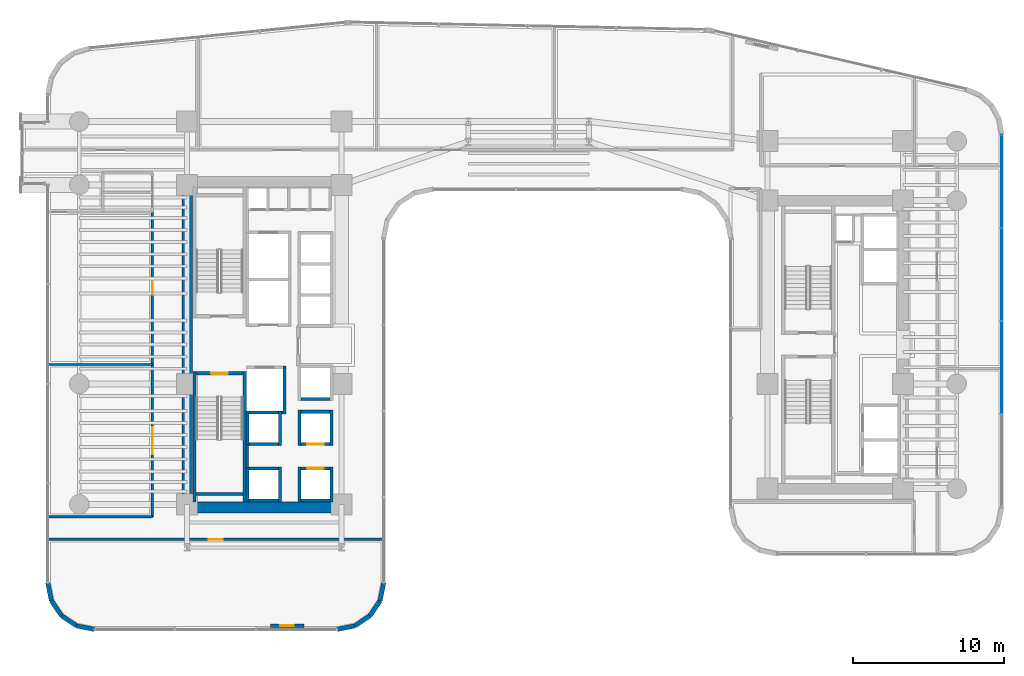
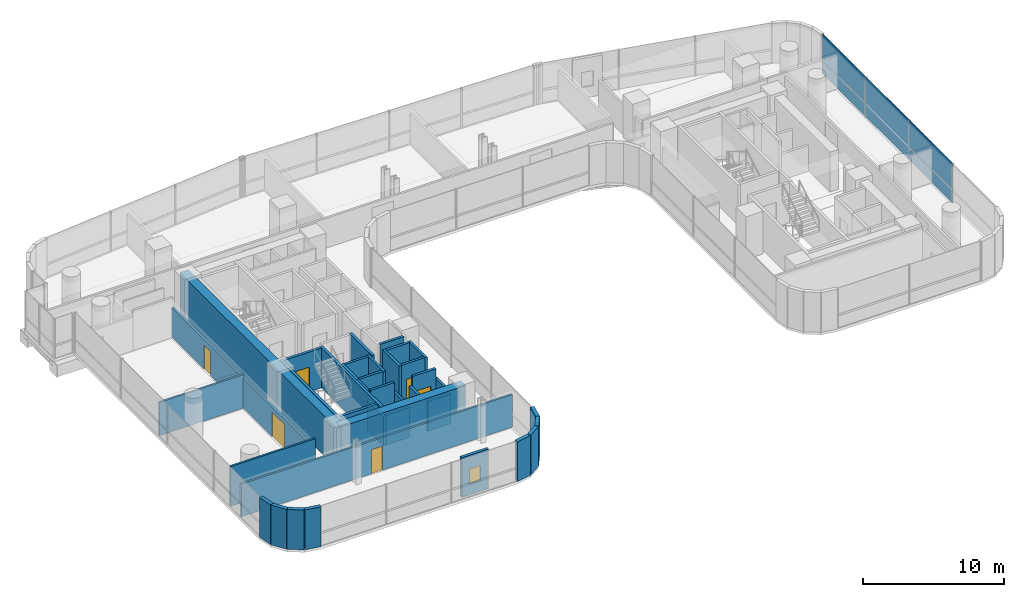
# One storey, part 31 of 40: 38 walls, 6 doors, 5 plates, 1 window, 7 openings, 1 element without a shape of its own.
"""IFC4 building model written with IfcOpenShell, lengths in metres."""

from ifc_helpers import new_model, si_unit, direction, frame, frame_2d, origin, origin_2d, place, context, subcontext, project, spatial, rectangle, extrude, source, transform, mapped, material, layer, layer_set, type_object, element, fill, aggregate, save


model = new_model("IFC4")

# Units and contexts
model_context = context("Model", 3, precision=1e-05, world=origin(), true_north=direction((0.0, 1.0)))
body_context = subcontext(model_context, "Body", "Model", "MODEL_VIEW")
ifc_project = project(units=[si_unit("LENGTHUNIT", "METRE"), si_unit("AREAUNIT", "SQUARE_METRE"), si_unit("VOLUMEUNIT", "CUBIC_METRE"), si_unit("PLANEANGLEUNIT", "RADIAN"), si_unit("MASSUNIT", "GRAM", prefix="KILO")], contexts=[model_context])

# Site, building, storey
site_placement = place(None, origin())
site = spatial("IfcSite", under=ifc_project, at=site_placement, CompositionType="ELEMENT")
building_placement = place(site_placement, origin())
building = spatial("IfcBuilding", under=site, at=building_placement, Name="Valdorenza Pilgrim Sanctuary Tower", CompositionType="ELEMENT")
storey_placement = place(building_placement, frame((0.0, 0.0, 48.199951171875)))
storey = spatial("IfcBuildingStorey", under=building, at=storey_placement, Name="L11", CompositionType="ELEMENT", Elevation=48.199951171875)

# Curtain wall, plates
ifc_material_1 = material(Name="Curtain-wall IGU glazing", Category="glass")
curtain_wall_type = type_object("IfcCurtainWallType", Name="CW-SYS-03", PredefinedType="NOTDEFINED", material=ifc_material_1)
curtain_wall_placement = place(storey_placement, origin())
curtain_wall = element("IfcCurtainWall", 1, at=curtain_wall_placement, inside=storey, type_object=curtain_wall_type, Name="L11 Curtain Wall CW-L11-1-21", PredefinedType="NOTDEFINED")
ifc_material_2 = material(Name="Honed travertine limestone", Category="masonry")
ifc_layer_1 = layer(ifc_material_2, 0.050048828125, Name="Honed travertine limestone")
ifc_layer_set_1 = layer_set([ifc_layer_1], Name="Honed travertine limestone")
plate_type_1 = type_object("IfcPlateType", Name="CW-SPN-TRV", PredefinedType="USERDEFINED", material=ifc_layer_set_1)
shared_shape_1 = source(origin(), body_context, "Body", "SweptSolid", [
    extrude(rectangle(XDim=6.16357421875, YDim=0.06005859375, at=origin_2d()), origin(), (0.0, 0.0, 1.0), 1.10009765625),
])
plate_1_placement = place(storey_placement, frame((31.389892578125, 10.853271484375, 0.010009765625), z_axis=(0.0, 0.0, 1.0), x_axis=(0.0, -1.0, 0.0)))
plate_1 = element("IfcPlate", 2, at=plate_1_placement, type_object=plate_type_1, Name="CW-L11-1-21 Travertine Spandrel 1", ObjectType="SPANDREL", PredefinedType="USERDEFINED", context=body_context, shape_type="MappedRepresentation", body=[
    mapped(shared_shape_1, transform((0.0, 0.0, 0.0), x_axis=(1.0, 0.0, 0.0), y_axis=(0.0, 1.0, 0.0), z_axis=(0.0, 0.0, 1.0), scale=1.0)),
])
plate_2_placement = place(storey_placement, frame((31.389892578125, -1.513916015625, 0.010009765625), z_axis=(0.0, 0.0, 1.0), x_axis=(0.0, -1.0, 0.0)))
plate_2 = element("IfcPlate", 3, at=plate_2_placement, type_object=plate_type_1, Name="CW-L11-1-21 Travertine Spandrel 3", ObjectType="SPANDREL", PredefinedType="USERDEFINED", context=body_context, shape_type="MappedRepresentation", body=[
    mapped(shared_shape_1, transform((0.0, 0.0, 0.0), x_axis=(1.0, 0.0, 0.0), y_axis=(0.0, 1.0, 0.0), z_axis=(0.0, 0.0, 1.0), scale=1.0)),
])
ifc_material_3 = material(Name="Ceramic-fritted low-E IGU glazing", Category="glass")
ifc_layer_2 = layer(ifc_material_3, 0.035888671875, Name="Ceramic-fritted low-E IGU glazing")
ifc_layer_set_2 = layer_set([ifc_layer_2], Name="Ceramic-fritted low-E IGU glazing")
plate_type_2 = type_object("IfcPlateType", Name="CW-GLZ-IGU", PredefinedType="USERDEFINED", material=ifc_layer_set_2)
shared_shape_2 = source(origin(), body_context, "Body", "SweptSolid", [
    extrude(rectangle(XDim=6.16357421875, YDim=0.050048828125, at=origin_2d()), origin(), (0.0, 0.0, 1.0), 2.320068359375),
])
plate_3_placement = place(storey_placement, frame((31.389892578125, 10.853271484375, 1.1298828125), z_axis=(0.0, 0.0, 1.0), x_axis=(0.0, -1.0, 0.0)))
plate_3 = element("IfcPlate", 4, at=plate_3_placement, type_object=plate_type_2, Name="CW-L11-1-21 Facade Panel 1", ObjectType="GLAZING", PredefinedType="USERDEFINED", context=body_context, shape_type="MappedRepresentation", body=[
    mapped(shared_shape_2, transform((0.0, 0.0, 0.0), x_axis=(1.0, 0.0, 0.0), y_axis=(0.0, 1.0, 0.0), z_axis=(0.0, 0.0, 1.0), scale=1.0)),
])
plate_4_placement = place(storey_placement, frame((31.389892578125, -1.513916015625, 1.1298828125), z_axis=(0.0, 0.0, 1.0), x_axis=(0.0, -1.0, 0.0)))
plate_4 = element("IfcPlate", 5, at=plate_4_placement, type_object=plate_type_2, Name="CW-L11-1-21 Facade Panel 3", ObjectType="GLAZING", PredefinedType="USERDEFINED", context=body_context, shape_type="MappedRepresentation", body=[
    mapped(shared_shape_2, transform((0.0, 0.0, 0.0), x_axis=(1.0, 0.0, 0.0), y_axis=(0.0, 1.0, 0.0), z_axis=(0.0, 0.0, 1.0), scale=1.0)),
])
shared_shape_3 = source(origin(), body_context, "Body", "SweptSolid", [
    extrude(rectangle(XDim=6.16357421875, YDim=0.050048828125, at=origin_2d()), origin(), (0.0, 0.0, 1.0), 3.43994140625),
])
plate_5_placement = place(storey_placement, frame((31.389892578125, 4.669677734375, 0.010009765625), z_axis=(0.0, 0.0, 1.0), x_axis=(0.0, -1.0, 0.0)))
plate_5 = element("IfcPlate", 6, at=plate_5_placement, type_object=plate_type_2, Name="CW-L11-1-21 Full-Height Facade Panel 2", ObjectType="GLAZING", PredefinedType="USERDEFINED", context=body_context, shape_type="MappedRepresentation", body=[
    mapped(shared_shape_3, transform((0.0, 0.0, 0.0), x_axis=(1.0, 0.0, 0.0), y_axis=(0.0, 1.0, 0.0), z_axis=(0.0, 0.0, 1.0), scale=1.0)),
])
aggregate(curtain_wall, [plate_1, plate_3, plate_5, plate_2, plate_4])

# Wall
ifc_material_4 = material(Name="Acoustic twin-stud gypsum partition", Category="gypsum")
ifc_layer_3 = layer(ifc_material_4, 0.159912109375, Name="Acoustic twin-stud gypsum partition")
ifc_layer_set_3 = layer_set([ifc_layer_3], Name="Acoustic twin-stud gypsum partition")
wall_type_1 = type_object("IfcWallType", Name="WAL-COR-160", PredefinedType="PARTITIONING", material=ifc_layer_set_3)
wall_1_placement = place(storey_placement, frame((-18.64990234375, -8.179931640625, 0.0), z_axis=(0.0, 0.0, 1.0), x_axis=(0.0, 1.0, 0.0)))
element("IfcWall", 7, at=wall_1_placement, inside=storey, type_object=wall_type_1, Name="L11 Core A South Lift Hall West Wall", PredefinedType="PARTITIONING", context=body_context, shape_type="SweptSolid", body=[
    extrude(rectangle(XDim=1.559814453125, YDim=0.159912109375, at=frame_2d((0.77978515625, 0.0))), origin(), (0.0, 0.0, 1.0), 3.4599609375),
])

# Wall, openings, doors
wall_2_placement = place(storey_placement, frame((-24.949951171875, -11.419921875, 0.0), z_axis=(0.0, 0.0, 1.0), x_axis=(0.0, 1.0, 0.0)))
wall_2 = element("IfcWall", 8, at=wall_2_placement, inside=storey, type_object=wall_type_1, Name="L11 West Wing Corridor Wall", PredefinedType="PARTITIONING", context=body_context, shape_type="SweptSolid", body=[
    extrude(rectangle(XDim=20.219970703125, YDim=0.159912109375, at=frame_2d((10.10986328125, 0.0))), origin(), (0.0, 0.0, 1.0), 2.5830078125),
])
opening_1_placement = place(wall_2_placement, frame((4.155029296875, 0.0, 0.0)))
opening_1 = element("IfcOpeningElement", 9, at=opening_1_placement, cuts=wall_2, Name="Opening DR-HL1", PredefinedType="OPENING", context=body_context, shape_type="SweptSolid", body=[
    extrude(rectangle(XDim=1.800048828125, YDim=2.14990234375, at=frame_2d((0.89990234375, 1.074951171875))), frame((0.0, 0.0947265625, 0.0), z_axis=(0.0, -1.0, 0.0), x_axis=(1.0, 0.0, 0.0)), (0.0, 0.0, 1.0), 0.189697265625),
])
opening_2_placement = place(wall_2_placement, frame((14.715087890625, 0.0, 0.0)))
opening_2 = element("IfcOpeningElement", 10, at=opening_2_placement, cuts=wall_2, Name="Opening DR-RM1", PredefinedType="OPENING", context=body_context, shape_type="SweptSolid", body=[
    extrude(rectangle(XDim=0.89990234375, YDim=2.10009765625, at=frame_2d((0.449951171875, 1.050048828125))), frame((0.0, 0.0947265625, 0.0), z_axis=(0.0, -1.0, 0.0), x_axis=(1.0, 0.0, 0.0)), (0.0, 0.0, 1.0), 0.189697265625),
])
ifc_material_5 = material(Name="Acoustic oak and vision-glass double door", Category="glass")
door_type_1 = type_object("IfcDoorType", Name="DR-HALL-1800", OperationType="NOTDEFINED", PredefinedType="DOOR", material=ifc_material_5)
door_1_placement = place(opening_1_placement, origin())
door_1 = element("IfcDoor", 11, at=door_1_placement, inside=storey, type_object=door_type_1, Name="L11 Sacred Art Exhibition Gallery L11-W1 Door", OperationType="DOUBLE_DOOR_SINGLE_SWING", OverallHeight=2.14990234375, OverallWidth=1.800048828125, PredefinedType="DOOR", context=body_context, shape_type="SweptSolid", body=[
    extrude(rectangle(XDim=1.800048828125, YDim=2.14990234375, at=frame_2d((0.89990234375, 1.074951171875))), frame((0.0, 0.02490234375, 0.0), z_axis=(0.0, -1.0, 0.0), x_axis=(1.0, 0.0, 0.0)), (0.0, 0.0, 1.0), 0.050048828125),
])
fill(opening_1, door_1)
ifc_material_6 = material(Name="Solid-core European oak timber", Category="wood")
door_type_2 = type_object("IfcDoorType", Name="DR-ROOM-900", OperationType="NOTDEFINED", PredefinedType="DOOR", material=ifc_material_6)
door_2_placement = place(opening_2_placement, frame((0.89990234375, 0.0, 0.0), z_axis=(0.0, 0.0, 1.0), x_axis=(-1.0, 0.0, 0.0)))
door_2 = element("IfcDoor", 12, at=door_2_placement, inside=storey, type_object=door_type_2, Name="L11 Sacred Manuscript Archive L11-W2 Door", OperationType="SINGLE_SWING_LEFT", OverallHeight=2.10009765625, OverallWidth=0.89990234375, PredefinedType="DOOR", context=body_context, shape_type="SweptSolid", body=[
    extrude(rectangle(XDim=0.89990234375, YDim=2.10009765625, at=frame_2d((0.449951171875, 1.050048828125))), frame((0.0, 0.02490234375, 0.0), z_axis=(0.0, -1.0, 0.0), x_axis=(1.0, 0.0, 0.0)), (0.0, 0.0, 1.0), 0.050048828125),
])
fill(opening_2, door_2)

# Wall, opening, door
wall_3_placement = place(storey_placement, frame((-31.889892578125, -12.919921875, 0.0), z_axis=(0.0, 0.0, 1.0), x_axis=(1.0, 0.0, 0.0)))
wall_3 = element("IfcWall", 13, at=wall_3_placement, inside=storey, type_object=wall_type_1, Name="L11 South Wing Corridor Wall", PredefinedType="PARTITIONING", context=body_context, shape_type="SweptSolid", body=[
    extrude(rectangle(XDim=22.27978515625, YDim=0.159912109375, at=frame_2d((11.139892578125, 0.0))), origin(), (0.0, 0.0, 1.0), 2.833984375),
])
opening_3_placement = place(wall_3_placement, frame((10.68994140625, 0.0, 0.0)))
opening_3 = element("IfcOpeningElement", 14, at=opening_3_placement, cuts=wall_3, Name="Opening DR-RM1", PredefinedType="OPENING", context=body_context, shape_type="SweptSolid", body=[
    extrude(rectangle(XDim=0.89990234375, YDim=2.10009765625, at=frame_2d((0.449951171875, 1.050048828125))), frame((0.0, 0.0947265625, 0.0), z_axis=(0.0, -1.0, 0.0), x_axis=(1.0, 0.0, 0.0)), (0.0, 0.0, 1.0), 0.189697265625),
])
door_3_placement = place(opening_3_placement, origin())
door_3 = element("IfcDoor", 15, at=door_3_placement, inside=storey, type_object=door_type_2, Name="L11 Pilgrim Scholar Office L11-S1 Door", OperationType="SINGLE_SWING_RIGHT", OverallHeight=2.10009765625, OverallWidth=0.89990234375, PredefinedType="DOOR", context=body_context, shape_type="SweptSolid", body=[
    extrude(rectangle(XDim=0.89990234375, YDim=2.10009765625, at=frame_2d((0.449951171875, 1.050048828125))), frame((0.0, 0.02490234375, 0.0), z_axis=(0.0, -1.0, 0.0), x_axis=(1.0, 0.0, 0.0)), (0.0, 0.0, 1.0), 0.050048828125),
])
fill(opening_3, door_3)

# Walls
wall_4_placement = place(storey_placement, frame((-31.889892578125, -11.419921875, 0.0), z_axis=(0.0, 0.0, 1.0), x_axis=(1.0, 0.0, 0.0)))
element("IfcWall", 16, at=wall_4_placement, inside=storey, type_object=wall_type_1, Name="L11 South-West Corridor North Wall", PredefinedType="PARTITIONING", context=body_context, shape_type="SweptSolid", body=[
    extrude(rectangle(XDim=6.93994140625, YDim=0.159912109375, at=frame_2d((3.469970703125, 0.0))), origin(), (0.0, 0.0, 1.0), 3.4599609375),
])
ifc_material_7 = material(Name="Concrete C60/75", Category="concrete")
ifc_layer_4 = layer(ifc_material_7, 0.699951171875, Name="Concrete C60/75")
ifc_layer_set_4 = layer_set([ifc_layer_4], Name="Concrete C60/75")
wall_type_2 = type_object("IfcWallType", Name="WAL-COR-700", PredefinedType="SHEAR", material=ifc_layer_set_4)
wall_5_placement = place(storey_placement, frame((-22.64990234375, -11.14990234375, 0.0), z_axis=(0.0, 0.0, 1.0), x_axis=(0.0, 1.0, 0.0)))
element("IfcWall", 17, at=wall_5_placement, inside=storey, type_object=wall_type_2, Name="L11 Split Core A Shear Wall W", PredefinedType="SHEAR", context=body_context, shape_type="SweptSolid", body=[
    extrude(rectangle(XDim=22.2998046875, YDim=0.699951171875, at=frame_2d((11.14990234375, 0.0))), origin(), (0.0, 0.0, 1.0), 3.4599609375),
])
wall_6_placement = place(storey_placement, frame((-22.64990234375, -10.800048828125, 0.0), z_axis=(0.0, 0.0, 1.0), x_axis=(1.0, 0.0, 0.0)))
element("IfcWall", 18, at=wall_6_placement, inside=storey, type_object=wall_type_2, Name="L11 Split Core A Shear Wall S", PredefinedType="SHEAR", context=body_context, shape_type="SweptSolid", body=[
    extrude(rectangle(XDim=10.25, YDim=0.699951171875, at=frame_2d((5.125, 0.0))), origin(), (0.0, 0.0, 1.0), 3.4599609375),
])
ifc_layer_5 = layer(ifc_material_2, 0.300048828125, Name="Honed travertine limestone")
ifc_layer_set_5 = layer_set([ifc_layer_5], Name="Honed travertine limestone")
wall_type_3 = type_object("IfcWallType", Name="WAL-EXT-300", PredefinedType="SOLIDWALL", material=ifc_layer_set_5)
wall_7_placement = place(storey_placement, frame((-9.610107421875, -15.789306640625, 0.0), z_axis=(0.0, 0.0, 1.0), x_axis=(-0.194996050505, -0.980804027463, 0.0)))
element("IfcWall", 19, at=wall_7_placement, inside=storey, type_object=wall_type_3, Name="L11 Rounded Wind-Corner Stone Pier 42", PredefinedType="SOLIDWALL", context=body_context, shape_type="SweptSolid", body=[
    extrude(rectangle(XDim=1.2158203125, YDim=0.300048828125, at=frame_2d((0.60791015625, 0.0))), origin(), (0.0, 0.0, 1.0), 3.4599609375),
])
for number, where, z_axis, x_axis, name in (
    (20, (-9.84716796875, -16.981689453125, 0.0), (0.0, 0.0, 1.0), (-0.555635100982, -0.831426265255, 0.0), "L11 Rounded Wind-Corner Stone Pier 43"),
    (21, (-10.5166015625, -17.9833984375, 0.0), (0.0, 0.0, 1.0), (-0.831426265255, -0.555635100982, 0.0), "L11 Rounded Wind-Corner Stone Pier 44"),
):
    element("IfcWall", number, at=place(storey_placement, frame(where, z_axis=z_axis, x_axis=x_axis)), inside=storey, type_object=wall_type_3, Name=name, PredefinedType="SOLIDWALL", context=body_context, shape_type="SweptSolid", body=[
        extrude(rectangle(XDim=1.204833984375, YDim=0.300048828125, at=frame_2d((0.6025390625, 0.0))), origin(), (0.0, 0.0, 1.0), 3.4599609375),
    ])
wall_8_placement = place(storey_placement, frame((-11.518310546875, -18.65283203125, 0.0), z_axis=(0.0, 0.0, 1.0), x_axis=(-0.980804027463, -0.194996050505, 0.0)))
element("IfcWall", 22, at=wall_8_placement, inside=storey, type_object=wall_type_3, Name="L11 Rounded Wind-Corner Stone Pier 45", PredefinedType="SOLIDWALL", context=body_context, shape_type="SweptSolid", body=[
    extrude(rectangle(XDim=1.2158203125, YDim=0.300048828125, at=frame_2d((0.60791015625, 0.0))), origin(), (0.0, 0.0, 1.0), 3.4599609375),
])

# Wall, opening, window
wall_9_placement = place(storey_placement, frame((-14.910888671875, -18.64990234375, 0.0), z_axis=(0.0, 0.0, 1.0), x_axis=(-1.0, 0.0, 0.0)))
wall_9 = element("IfcWall", 23, at=wall_9_placement, inside=storey, type_object=wall_type_3, Name="L11 Operable Ventilation Sash Jamb Pier", PredefinedType="SOLIDWALL", context=body_context, shape_type="SweptSolid", body=[
    extrude(rectangle(XDim=2.199951171875, YDim=0.219970703125, at=frame_2d((1.10009765625, 0.0))), origin(), (0.0, 0.0, 1.0), 3.4599609375),
])
opening_4_placement = place(wall_9_placement, frame((0.64990234375, 0.0, 0.949951171875)))
opening_4 = element("IfcOpeningElement", 24, at=opening_4_placement, cuts=wall_9, Name="Opening WN-OP1", PredefinedType="OPENING", context=body_context, shape_type="SweptSolid", body=[
    extrude(rectangle(XDim=0.89990234375, YDim=1.300048828125, at=frame_2d((0.449951171875, 0.64990234375))), frame((0.0, 0.125, 0.0), z_axis=(0.0, -1.0, 0.0), x_axis=(1.0, 0.0, 0.0)), (0.0, 0.0, 1.0), 0.249755859375),
])
window_type = type_object("IfcWindowType", Name="WIN-OPN-900", PartitioningType="SINGLE_PANEL", PredefinedType="WINDOW", material=ifc_material_3)
window_placement = place(opening_4_placement, origin())
window = element("IfcWindow", 25, at=window_placement, inside=storey, type_object=window_type, Name="L11 Parallel-Pop-Out Operable Facade Panel", OverallHeight=1.300048828125, OverallWidth=0.89990234375, PartitioningType="SINGLE_PANEL", PredefinedType="WINDOW", context=body_context, shape_type="SweptSolid", body=[
    extrude(rectangle(XDim=0.89990234375, YDim=1.300048828125, at=frame_2d((0.449951171875, 0.64990234375))), frame((0.0, 0.030029296875, 0.0), z_axis=(0.0, -1.0, 0.0), x_axis=(1.0, 0.0, 0.0)), (0.0, 0.0, 1.0), 0.06005859375),
])
fill(opening_4, window)

# Walls
wall_10_placement = place(storey_placement, frame((-28.789306640625, -18.889892578125, 0.0), z_axis=(0.0, 0.0, 1.0), x_axis=(-0.980804027463, 0.194996050505, 0.0)))
element("IfcWall", 26, at=wall_10_placement, inside=storey, type_object=wall_type_3, Name="L11 Rounded Wind-Corner Stone Pier 47", PredefinedType="SOLIDWALL", context=body_context, shape_type="SweptSolid", body=[
    extrude(rectangle(XDim=1.2158203125, YDim=0.300048828125, at=frame_2d((0.60791015625, 0.0))), origin(), (0.0, 0.0, 1.0), 3.4599609375),
])
for number, where, z_axis, x_axis, name in (
    (27, (-29.981689453125, -18.65283203125, 0.0), (0.0, 0.0, 1.0), (-0.831426265255, 0.555635100982, 0.0), "L11 Rounded Wind-Corner Stone Pier 48"),
    (28, (-30.9833984375, -17.9833984375, 0.0), (0.0, 0.0, 1.0), (-0.555635100982, 0.831426265255, 0.0), "L11 Rounded Wind-Corner Stone Pier 49"),
):
    element("IfcWall", number, at=place(storey_placement, frame(where, z_axis=z_axis, x_axis=x_axis)), inside=storey, type_object=wall_type_3, Name=name, PredefinedType="SOLIDWALL", context=body_context, shape_type="SweptSolid", body=[
        extrude(rectangle(XDim=1.204833984375, YDim=0.300048828125, at=frame_2d((0.6025390625, 0.0))), origin(), (0.0, 0.0, 1.0), 3.4599609375),
    ])
wall_11_placement = place(storey_placement, frame((-31.65283203125, -16.981689453125, 0.0), z_axis=(0.0, 0.0, 1.0), x_axis=(-0.194996050505, 0.980804027463, 0.0)))
element("IfcWall", 29, at=wall_11_placement, inside=storey, type_object=wall_type_3, Name="L11 Rounded Wind-Corner Stone Pier 50", PredefinedType="SOLIDWALL", context=body_context, shape_type="SweptSolid", body=[
    extrude(rectangle(XDim=1.2158203125, YDim=0.300048828125, at=frame_2d((0.60791015625, 0.0))), origin(), (0.0, 0.0, 1.0), 3.4599609375),
])
ifc_material_8 = material(Name="Autoclaved aerated concrete blockwork", Category="masonry")
ifc_layer_6 = layer(ifc_material_8, 0.199951171875, Name="Autoclaved aerated concrete blockwork")
ifc_layer_set_6 = layer_set([ifc_layer_6], Name="Autoclaved aerated concrete blockwork")
wall_type_4 = type_object("IfcWallType", Name="WAL-SHF-200", PredefinedType="MOVABLE", material=ifc_layer_set_6)
wall_12_placement = place(storey_placement, frame((-16.199951171875, -4.60009765625, 0.0), z_axis=(0.0, 0.0, 1.0), x_axis=(0.0, 1.0, 0.0)))
element("IfcWall", 30, at=wall_12_placement, inside=storey, type_object=wall_type_4, Name="L11 Lift FFL-02 Hoistway Wall East", PredefinedType="MOVABLE", context=body_context, shape_type="SweptSolid", body=[
    extrude(rectangle(XDim=3.2001953125, YDim=0.199951171875, at=frame_2d((1.60009765625, 0.0))), origin(), (0.0, 0.0, 1.0), 3.4599609375),
])
wall_13_placement = place(storey_placement, frame((-18.719970703125, -4.5, 0.0), z_axis=(0.0, 0.0, 1.0), x_axis=(1.0, 0.0, 0.0)))
element("IfcWall", 31, at=wall_13_placement, inside=storey, type_object=wall_type_4, Name="L11 Lift FFL-02 Hoistway Wall South", PredefinedType="MOVABLE", context=body_context, shape_type="SweptSolid", body=[
    extrude(rectangle(XDim=2.419921875, YDim=0.199951171875, at=frame_2d((1.2099609375, 0.0))), origin(), (0.0, 0.0, 1.0), 3.4599609375),
])
for number, where, z_axis, x_axis, name in (
    (32, (-15.199951171875, -10.449951171875, 0.0), (0.0, 0.0, 1.0), (0.0, 1.0, 0.0), "L11 Lift PL-01 Hoistway Wall West"),
    (33, (-13.080078125, -10.449951171875, 0.0), (0.0, 0.0, 1.0), (0.0, 1.0, 0.0), "L11 Lift PL-01 Hoistway Wall East"),
):
    element("IfcWall", number, at=place(storey_placement, frame(where, z_axis=z_axis, x_axis=x_axis)), inside=storey, type_object=wall_type_4, Name=name, PredefinedType="MOVABLE", context=body_context, shape_type="SweptSolid", body=[
        extrude(rectangle(XDim=2.349853515625, YDim=0.199951171875, at=frame_2d((1.1748046875, 0.0))), origin(), (0.0, 0.0, 1.0), 2.5830078125),
    ])
wall_14_placement = place(storey_placement, frame((-15.10009765625, -10.35009765625, 0.0), z_axis=(0.0, 0.0, 1.0), x_axis=(1.0, 0.0, 0.0)))
element("IfcWall", 34, at=wall_14_placement, inside=storey, type_object=wall_type_4, Name="L11 Lift PL-01 Hoistway Wall South", PredefinedType="MOVABLE", context=body_context, shape_type="SweptSolid", body=[
    extrude(rectangle(XDim=1.920166015625, YDim=0.199951171875, at=frame_2d((0.9599609375, 0.0))), origin(), (0.0, 0.0, 1.0), 2.5830078125),
])

# Wall, opening, door
wall_15_placement = place(storey_placement, frame((-15.10009765625, -8.199951171875, 0.0), z_axis=(0.0, 0.0, 1.0), x_axis=(1.0, 0.0, 0.0)))
wall_15 = element("IfcWall", 35, at=wall_15_placement, inside=storey, type_object=wall_type_4, Name="L11 Lift PL-01 Hoistway Wall North", PredefinedType="MOVABLE", context=body_context, shape_type="SweptSolid", body=[
    extrude(rectangle(XDim=1.920166015625, YDim=0.199951171875, at=frame_2d((0.9599609375, 0.0))), origin(), (0.0, 0.0, 1.0), 3.4599609375),
])
opening_5_placement = place(wall_15_placement, frame((0.409912109375, 0.0, 0.0)))
opening_5 = element("IfcOpeningElement", 36, at=opening_5_placement, cuts=wall_15, Name="Opening LD-01", PredefinedType="OPENING", context=body_context, shape_type="SweptSolid", body=[
    extrude(rectangle(XDim=1.10009765625, YDim=2.10009765625, at=frame_2d((0.550048828125, 1.050048828125))), frame((0.0, 0.11474609375, 0.0), z_axis=(0.0, -1.0, 0.0), x_axis=(1.0, 0.0, 0.0)), (0.0, 0.0, 1.0), 0.229736328125),
])
ifc_material_9 = material(Name="Brushed stainless steel Grade 316", Category="steel")
door_type_3 = type_object("IfcDoorType", Name="DR-LFT-1100", OperationType="DOUBLE_DOOR_SLIDING", PredefinedType="DOOR", material=ifc_material_9)
door_4_placement = place(opening_5_placement, origin())
door_4 = element("IfcDoor", 37, at=door_4_placement, inside=storey, type_object=door_type_3, Name="L11 Lift PL-01 Sliding Landing Door", OperationType="DOUBLE_DOOR_SLIDING", OverallHeight=2.10009765625, OverallWidth=1.10009765625, PredefinedType="DOOR", context=body_context, shape_type="SweptSolid", body=[
    extrude(rectangle(XDim=1.10009765625, YDim=2.10009765625, at=frame_2d((0.550048828125, 1.050048828125))), frame((0.0, 0.02490234375, 0.0), z_axis=(0.0, -1.0, 0.0), x_axis=(1.0, 0.0, 0.0)), (0.0, 0.0, 1.0), 0.050048828125),
])
fill(opening_5, door_4)

# Walls
for number, where, z_axis, x_axis, name in (
    (38, (-15.199951171875, -6.699951171875, 0.0), (0.0, 0.0, 1.0), (0.0, 1.0, 0.0), "L11 Lift PL-02 Hoistway Wall West"),
    (39, (-13.080078125, -6.699951171875, 0.0), (0.0, 0.0, 1.0), (0.0, 1.0, 0.0), "L11 Lift PL-02 Hoistway Wall East"),
):
    element("IfcWall", number, at=place(storey_placement, frame(where, z_axis=z_axis, x_axis=x_axis)), inside=storey, type_object=wall_type_4, Name=name, PredefinedType="MOVABLE", context=body_context, shape_type="SweptSolid", body=[
        extrude(rectangle(XDim=2.349853515625, YDim=0.199951171875, at=frame_2d((1.1748046875, 0.0))), origin(), (0.0, 0.0, 1.0), 3.4599609375),
    ])

# Wall, opening, door
wall_16_placement = place(storey_placement, frame((-15.10009765625, -6.60009765625, 0.0), z_axis=(0.0, 0.0, 1.0), x_axis=(1.0, 0.0, 0.0)))
wall_16 = element("IfcWall", 40, at=wall_16_placement, inside=storey, type_object=wall_type_4, Name="L11 Lift PL-02 Hoistway Wall South", PredefinedType="MOVABLE", context=body_context, shape_type="SweptSolid", body=[
    extrude(rectangle(XDim=1.920166015625, YDim=0.199951171875, at=frame_2d((0.9599609375, 0.0))), origin(), (0.0, 0.0, 1.0), 3.4599609375),
])
opening_6_placement = place(wall_16_placement, frame((0.409912109375, 0.0, 0.0)))
opening_6 = element("IfcOpeningElement", 41, at=opening_6_placement, cuts=wall_16, Name="Opening LD-01", PredefinedType="OPENING", context=body_context, shape_type="SweptSolid", body=[
    extrude(rectangle(XDim=1.10009765625, YDim=2.10009765625, at=frame_2d((0.550048828125, 1.050048828125))), frame((0.0, 0.11474609375, 0.0), z_axis=(0.0, -1.0, 0.0), x_axis=(1.0, 0.0, 0.0)), (0.0, 0.0, 1.0), 0.229736328125),
])
door_5_placement = place(opening_6_placement, origin())
door_5 = element("IfcDoor", 42, at=door_5_placement, inside=storey, type_object=door_type_3, Name="L11 Lift PL-02 Sliding Landing Door", OperationType="DOUBLE_DOOR_SLIDING", OverallHeight=2.10009765625, OverallWidth=1.10009765625, PredefinedType="DOOR", context=body_context, shape_type="SweptSolid", body=[
    extrude(rectangle(XDim=1.10009765625, YDim=2.10009765625, at=frame_2d((0.550048828125, 1.050048828125))), frame((0.0, 0.02490234375, 0.0), z_axis=(0.0, -1.0, 0.0), x_axis=(1.0, 0.0, 0.0)), (0.0, 0.0, 1.0), 0.050048828125),
])
fill(opening_6, door_5)

# Walls
wall_17_placement = place(storey_placement, frame((-15.10009765625, -4.449951171875, 0.0), z_axis=(0.0, 0.0, 1.0), x_axis=(1.0, 0.0, 0.0)))
element("IfcWall", 43, at=wall_17_placement, inside=storey, type_object=wall_type_4, Name="L11 Lift PL-02 Hoistway Wall North", PredefinedType="MOVABLE", context=body_context, shape_type="SweptSolid", body=[
    extrude(rectangle(XDim=1.920166015625, YDim=0.199951171875, at=frame_2d((0.9599609375, 0.0))), origin(), (0.0, 0.0, 1.0), 3.4599609375),
])
for number, where, z_axis, x_axis, name in (
    (44, (-18.64990234375, -10.449951171875, 0.0), (0.0, 0.0, 1.0), (0.0, 1.0, 0.0), "L11 Lift PL-05 Hoistway Wall West"),
    (45, (-16.5, -10.449951171875, 0.0), (0.0, 0.0, 1.0), (0.0, 1.0, 0.0), "L11 Lift PL-05 Hoistway Wall East"),
):
    element("IfcWall", number, at=place(storey_placement, frame(where, z_axis=z_axis, x_axis=x_axis)), inside=storey, type_object=wall_type_4, Name=name, PredefinedType="MOVABLE", context=body_context, shape_type="SweptSolid", body=[
        extrude(rectangle(XDim=2.349853515625, YDim=0.199951171875, at=frame_2d((1.1748046875, 0.0))), origin(), (0.0, 0.0, 1.0), 2.5830078125),
    ])
wall_18_placement = place(storey_placement, frame((-18.550048828125, -10.35009765625, 0.0), z_axis=(0.0, 0.0, 1.0), x_axis=(1.0, 0.0, 0.0)))
element("IfcWall", 46, at=wall_18_placement, inside=storey, type_object=wall_type_4, Name="L11 Lift PL-05 Hoistway Wall South", PredefinedType="MOVABLE", context=body_context, shape_type="SweptSolid", body=[
    extrude(rectangle(XDim=1.949951171875, YDim=0.199951171875, at=frame_2d((0.97509765625, 0.0))), origin(), (0.0, 0.0, 1.0), 2.5830078125),
])
wall_19_placement = place(storey_placement, frame((-18.550048828125, -8.199951171875, 0.0), z_axis=(0.0, 0.0, 1.0), x_axis=(1.0, 0.0, 0.0)))
element("IfcWall", 47, at=wall_19_placement, inside=storey, type_object=wall_type_4, Name="L11 Lift PL-05 Hoistway Wall North", PredefinedType="MOVABLE", context=body_context, shape_type="SweptSolid", body=[
    extrude(rectangle(XDim=1.949951171875, YDim=0.199951171875, at=frame_2d((0.97509765625, 0.0))), origin(), (0.0, 0.0, 1.0), 3.4599609375),
])
for number, where, z_axis, x_axis, name in (
    (48, (-18.64990234375, -6.699951171875, 0.0), (0.0, 0.0, 1.0), (0.0, 1.0, 0.0), "L11 Lift PL-11 Hoistway Wall West"),
    (49, (-16.5, -6.699951171875, 0.0), (0.0, 0.0, 1.0), (0.0, 1.0, 0.0), "L11 Lift PL-11 Hoistway Wall East"),
):
    element("IfcWall", number, at=place(storey_placement, frame(where, z_axis=z_axis, x_axis=x_axis)), inside=storey, type_object=wall_type_4, Name=name, PredefinedType="MOVABLE", context=body_context, shape_type="SweptSolid", body=[
        extrude(rectangle(XDim=2.300048828125, YDim=0.199951171875, at=frame_2d((1.14990234375, 0.0))), origin(), (0.0, 0.0, 1.0), 3.4599609375),
    ])
wall_20_placement = place(storey_placement, frame((-18.550048828125, -6.60009765625, 0.0), z_axis=(0.0, 0.0, 1.0), x_axis=(1.0, 0.0, 0.0)))
element("IfcWall", 50, at=wall_20_placement, inside=storey, type_object=wall_type_4, Name="L11 Lift PL-11 Hoistway Wall South", PredefinedType="MOVABLE", context=body_context, shape_type="SweptSolid", body=[
    extrude(rectangle(XDim=1.949951171875, YDim=0.199951171875, at=frame_2d((0.97509765625, 0.0))), origin(), (0.0, 0.0, 1.0), 3.4599609375),
])
wall_21_placement = place(storey_placement, frame((-15.10009765625, -3.60009765625, 0.0), z_axis=(0.0, 0.0, 1.0), x_axis=(1.0, 0.0, 0.0)))
element("IfcWall", 51, at=wall_21_placement, inside=storey, type_object=wall_type_4, Name="L11 Lift PL-12 Hoistway Wall South", PredefinedType="MOVABLE", context=body_context, shape_type="SweptSolid", body=[
    extrude(rectangle(XDim=1.920166015625, YDim=0.199951171875, at=frame_2d((0.9599609375, 0.0))), origin(), (0.0, 0.0, 1.0), 3.4599609375),
])
ifc_material_10 = material(Name="Concrete C40/50", Category="concrete")
ifc_layer_7 = layer(ifc_material_10, 0.219970703125, Name="Concrete C40/50")
ifc_layer_set_7 = layer_set([ifc_layer_7], Name="Concrete C40/50")
wall_type_5 = type_object("IfcWallType", Name="WAL-STR-SHF-220", PredefinedType="SHEAR", material=ifc_layer_set_7)
for number, where, z_axis, x_axis, name in (
    (52, (-22.159912109375, -10.449951171875, 0.0), (0.0, 0.0, 1.0), (0.0, 1.0, 0.0), "L11 ST-A2 Structural Stairwell Wall W"),
    (53, (-18.830078125, -10.449951171875, 0.0), (0.0, 0.0, 1.0), (0.0, 1.0, 0.0), "L11 ST-A2 Structural Stairwell Wall E"),
):
    element("IfcWall", number, at=place(storey_placement, frame(where, z_axis=z_axis, x_axis=x_axis)), inside=storey, type_object=wall_type_5, Name=name, PredefinedType="SHEAR", context=body_context, shape_type="SweptSolid", body=[
        extrude(rectangle(XDim=8.669921875, YDim=0.219970703125, at=frame_2d((4.3349609375, 0.0))), origin(), (0.0, 0.0, 1.0), 3.4599609375),
    ])
wall_22_placement = place(storey_placement, frame((-22.050048828125, -9.909912109375, 0.0), z_axis=(0.0, 0.0, 1.0), x_axis=(1.0, 0.0, 0.0)))
element("IfcWall", 54, at=wall_22_placement, inside=storey, type_object=wall_type_5, Name="L11 ST-A2 Structural Stairwell Wall S", PredefinedType="SHEAR", context=body_context, shape_type="SweptSolid", body=[
    extrude(rectangle(XDim=3.110107421875, YDim=0.219970703125, at=frame_2d((1.55517578125, 0.0))), origin(), (0.0, 0.0, 1.0), 3.4599609375),
])

# Wall, opening, door
wall_23_placement = place(storey_placement, frame((-22.050048828125, -1.889892578125, 0.0), z_axis=(0.0, 0.0, 1.0), x_axis=(1.0, 0.0, 0.0)))
wall_23 = element("IfcWall", 55, at=wall_23_placement, inside=storey, type_object=wall_type_5, Name="L11 ST-A2 Structural Stairwell Wall N", PredefinedType="SHEAR", context=body_context, shape_type="SweptSolid", body=[
    extrude(rectangle(XDim=3.110107421875, YDim=0.219970703125, at=frame_2d((1.55517578125, 0.0))), origin(), (0.0, 0.0, 1.0), 3.4599609375),
])
opening_7_placement = place(wall_23_placement, frame((1.0, 0.0, 0.0)))
opening_7 = element("IfcOpeningElement", 56, at=opening_7_placement, cuts=wall_23, Name="Opening DR-ST1", PredefinedType="OPENING", context=body_context, shape_type="SweptSolid", body=[
    extrude(rectangle(XDim=1.10009765625, YDim=2.14990234375, at=frame_2d((0.550048828125, 1.074951171875))), frame((0.0, 0.125, 0.0), z_axis=(0.0, -1.0, 0.0), x_axis=(1.0, 0.0, 0.0)), (0.0, 0.0, 1.0), 0.249755859375),
])
ifc_material_11 = material(Name="Painted galvanized steel", Category="steel")
door_type_4 = type_object("IfcDoorType", Name="DR-STAIR-1100", OperationType="NOTDEFINED", PredefinedType="DOOR", material=ifc_material_11)
door_6_placement = place(opening_7_placement, origin())
door_6 = element("IfcDoor", 57, at=door_6_placement, inside=storey, type_object=door_type_4, Name="L11 Exit Stair ST-A2 Door", OperationType="SINGLE_SWING_RIGHT", OverallHeight=2.14990234375, OverallWidth=1.10009765625, PredefinedType="DOOR", context=body_context, shape_type="SweptSolid", body=[
    extrude(rectangle(XDim=1.10009765625, YDim=2.14990234375, at=frame_2d((0.550048828125, 1.074951171875))), frame((0.0, 0.02490234375, 0.0), z_axis=(0.0, -1.0, 0.0), x_axis=(1.0, 0.0, 0.0)), (0.0, 0.0, 1.0), 0.050048828125),
])
fill(opening_7, door_6)

# Wall
ifc_layer_8 = layer(ifc_material_4, 0.14990234375, Name="Acoustic twin-stud gypsum partition")
ifc_layer_set_8 = layer_set([ifc_layer_8], Name="Acoustic twin-stud gypsum partition")
wall_type_6 = type_object("IfcWallType", Name="WAL-UNT-150", PredefinedType="PARTITIONING", material=ifc_layer_set_8)
wall_24_placement = place(storey_placement, frame((-31.889892578125, -1.31005859375, 0.0), z_axis=(0.0, 0.0, 1.0), x_axis=(1.0, 0.0, 0.0)))
element("IfcWall", 58, at=wall_24_placement, inside=storey, type_object=wall_type_6, Name="L11 Sacred Manuscript Archive L11-W2 Demising Wall", PredefinedType="PARTITIONING", context=body_context, shape_type="SweptSolid", body=[
    extrude(rectangle(XDim=6.93994140625, YDim=0.14990234375, at=frame_2d((3.469970703125, 0.0))), origin(), (0.0, 0.0, 1.0), 2.89599609375),
])

save(model, "model.ifc")
